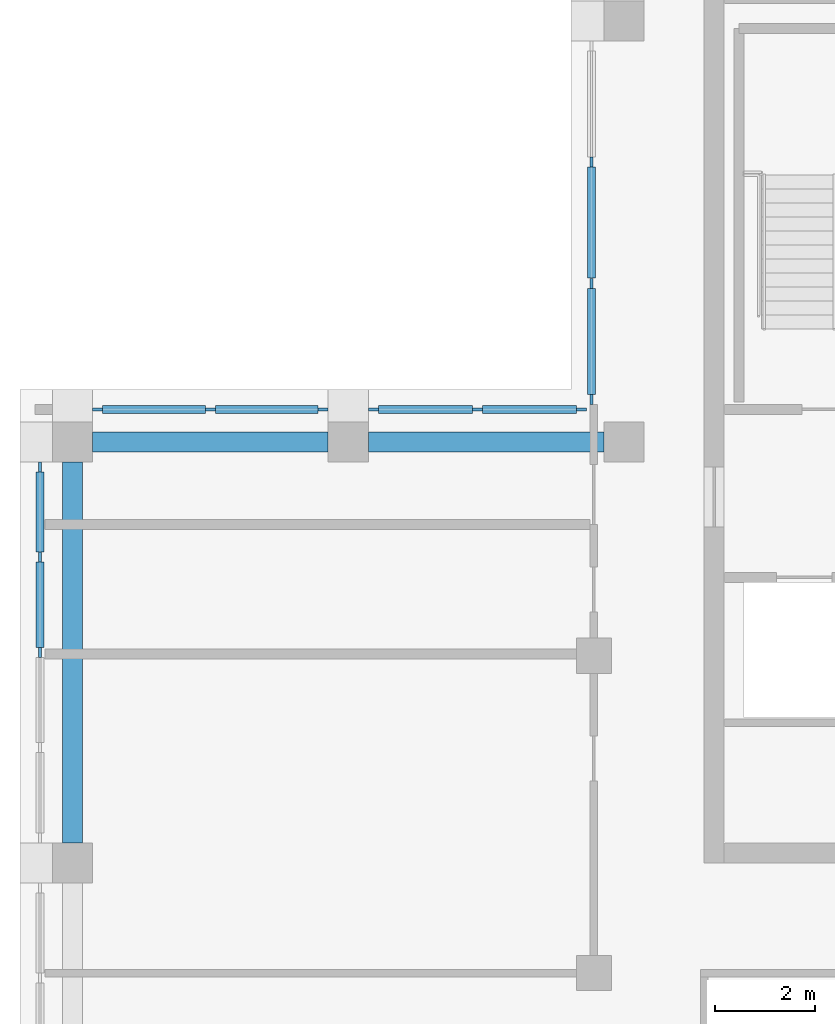
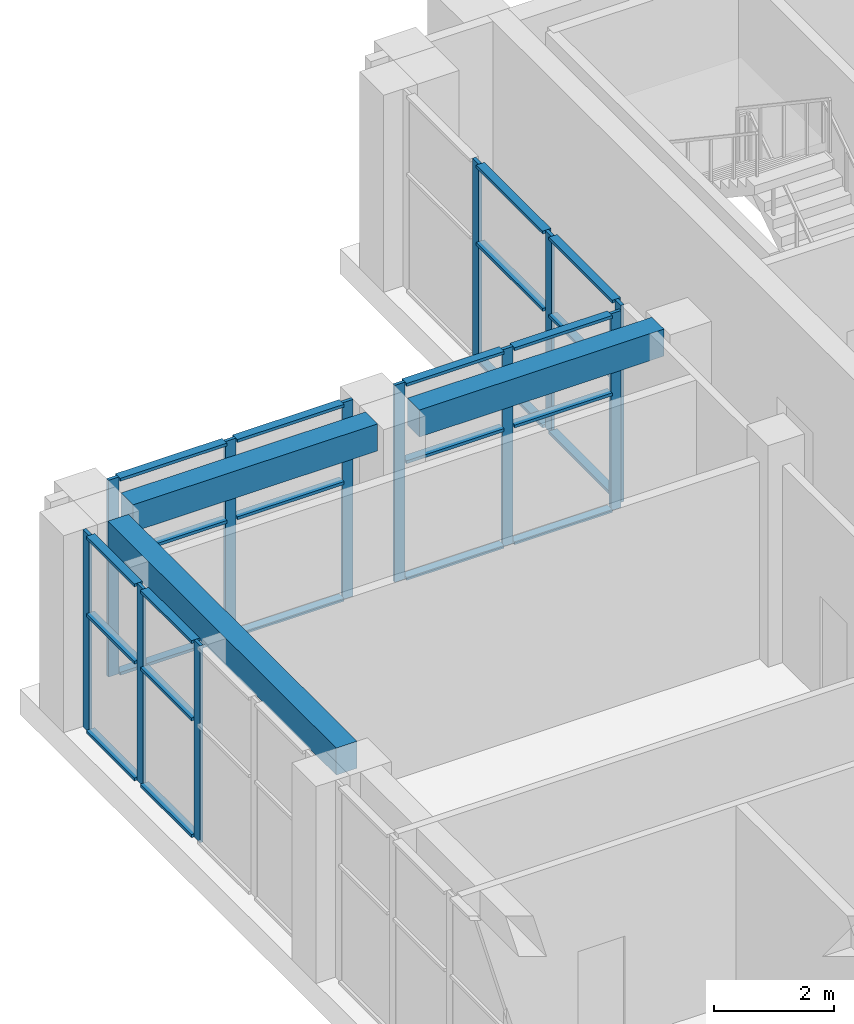
# One storey, part 4 of 14: 36 members, 3 beams, 4 elements without a shape of their own.
"""IFC4 building model written with IfcOpenShell, lengths in metres."""

from ifc_helpers import new_model, si_unit, direction, frame, origin, origin_2d, place, context, subcontext, project, spatial, rectangle, extrude, material, material_profile, profile_set, type_object, element, aggregate, save


model = new_model("IFC4")

# Units and contexts
model_context = context("Model", 3, precision=1e-05, world=origin(), true_north=direction((0.0, 1.0)))
body_context = subcontext(model_context, "Body", "Model", "MODEL_VIEW")
ifc_project = project(units=[si_unit("LENGTHUNIT", "METRE"), si_unit("AREAUNIT", "SQUARE_METRE"), si_unit("VOLUMEUNIT", "CUBIC_METRE"), si_unit("PLANEANGLEUNIT", "RADIAN"), si_unit("MASSUNIT", "GRAM", prefix="KILO")], contexts=[model_context])

# Site, building, storey
site_placement = place(None, origin())
site = spatial("IfcSite", under=ifc_project, at=site_placement, CompositionType="ELEMENT")
building_placement = place(site_placement, origin())
building = spatial("IfcBuilding", under=site, at=building_placement, Name="Vermilion Ogive Tower", CompositionType="ELEMENT")
storey_placement = place(building_placement, frame((0.0, 0.0, 273.85009765625)))
storey = spatial("IfcBuildingStorey", under=building, at=storey_placement, Name="L72", CompositionType="ELEMENT", Elevation=273.85009765625)

# Curtain wall, members
ifc_material_1 = material(Name="Laminated solar-control glazing in aluminium frame", Category="aluminium")
curtain_wall_type = type_object("IfcCurtainWallType", Name="Curtain wall CW4", PredefinedType="NOTDEFINED", material=ifc_material_1)
curtain_wall_1_placement = place(storey_placement, origin())
curtain_wall_1 = element("IfcCurtainWall", 1, at=curtain_wall_1_placement, inside=storey, type_object=curtain_wall_type, Name="CW4 glazing X51", PredefinedType="NOTDEFINED")
ifc_material_2 = material(Name="Aluminium mullion", Category="aluminium")
ifc_material_profile_1 = material_profile(ifc_material_2, rectangle(XDim=0.06005859375, YDim=0.199951171875, at=origin_2d()), Name="AL 60x200")
ifc_profile_set_1 = profile_set([ifc_material_profile_1], Name="Aluminium mullion")
member_type_1 = type_object("IfcMemberType", Name="CW4 mullion 60x200", PredefinedType="MULLION", material=ifc_profile_set_1)
member_1_placement = place(storey_placement, frame((-10.64990234375, 18.183349609375, 0.0), z_axis=(0.0, 0.0, 1.0), x_axis=(1.0, 0.0, 0.0)))
member_1 = element("IfcMember", 2, at=member_1_placement, type_object=member_type_1, Name="CW4-X51 mullion 2", PredefinedType="MULLION", context=body_context, shape_type="SweptSolid", body=[
    extrude(rectangle(XDim=0.06005859375, YDim=0.199951171875, at=origin_2d()), origin(), (0.0, 0.0, 1.0), 4.0),
])
member_2_placement = place(storey_placement, frame((-10.64990234375, 15.7666015625, 0.0), z_axis=(0.0, 0.0, 1.0), x_axis=(1.0, 0.0, 0.0)))
member_2 = element("IfcMember", 3, at=member_2_placement, type_object=member_type_1, Name="CW4-X51 mullion 3", PredefinedType="MULLION", context=body_context, shape_type="SweptSolid", body=[
    extrude(rectangle(XDim=0.06005859375, YDim=0.199951171875, at=origin_2d()), origin(), (0.0, 0.0, 1.0), 4.0),
])
member_3_placement = place(storey_placement, frame((-10.64990234375, 13.449951171875, 0.0), z_axis=(0.0, 0.0, 1.0), x_axis=(1.0, 0.0, 0.0)))
member_3 = element("IfcMember", 4, at=member_3_placement, type_object=member_type_1, Name="CW4-X51 mullion 4", PredefinedType="MULLION", context=body_context, shape_type="SweptSolid", body=[
    extrude(rectangle(XDim=0.06005859375, YDim=0.199951171875, at=origin_2d()), origin(), (0.0, 0.0, 1.0), 4.0),
])

curtain_wall_2_placement = place(storey_placement, origin())
curtain_wall_2 = element("IfcCurtainWall", 5, at=curtain_wall_2_placement, inside=storey, type_object=curtain_wall_type, Name="CW4 glazing X61", PredefinedType="NOTDEFINED")
member_4_placement = place(storey_placement, frame((-10.85009765625, 13.25, 0.0), z_axis=(0.0, 0.0, 1.0), x_axis=(0.0, -1.0, 0.0)))
member_4 = element("IfcMember", 6, at=member_4_placement, type_object=member_type_1, Name="CW4-X61 mullion 1", PredefinedType="MULLION", context=body_context, shape_type="SweptSolid", body=[
    extrude(rectangle(XDim=0.06005859375, YDim=0.199951171875, at=origin_2d()), origin(), (0.0, 0.0, 1.0), 4.0),
])
member_5_placement = place(storey_placement, frame((-12.925048828125, 13.25, 0.0), z_axis=(0.0, 0.0, 1.0), x_axis=(0.0, -1.0, 0.0)))
member_5 = element("IfcMember", 7, at=member_5_placement, type_object=member_type_1, Name="CW4-X61 mullion 2", PredefinedType="MULLION", context=body_context, shape_type="SweptSolid", body=[
    extrude(rectangle(XDim=0.06005859375, YDim=0.199951171875, at=origin_2d()), origin(), (0.0, 0.0, 1.0), 4.0),
])
member_6_placement = place(storey_placement, frame((-15.0, 13.25, 0.0), z_axis=(0.0, 0.0, 1.0), x_axis=(0.0, -1.0, 0.0)))
member_6 = element("IfcMember", 8, at=member_6_placement, type_object=member_type_1, Name="CW4-X61 mullion 3", PredefinedType="MULLION", context=body_context, shape_type="SweptSolid", body=[
    extrude(rectangle(XDim=0.06005859375, YDim=0.199951171875, at=origin_2d()), origin(), (0.0, 0.0, 1.0), 4.0),
])

curtain_wall_3_placement = place(storey_placement, origin())
curtain_wall_3 = element("IfcCurtainWall", 9, at=curtain_wall_3_placement, inside=storey, type_object=curtain_wall_type, Name="CW4 glazing X62", PredefinedType="NOTDEFINED")
member_7_placement = place(storey_placement, frame((-16.0, 13.25, 0.0), z_axis=(0.0, 0.0, 1.0), x_axis=(0.0, -1.0, 0.0)))
member_7 = element("IfcMember", 10, at=member_7_placement, type_object=member_type_1, Name="CW4-X62 mullion 1", PredefinedType="MULLION", context=body_context, shape_type="SweptSolid", body=[
    extrude(rectangle(XDim=0.06005859375, YDim=0.199951171875, at=origin_2d()), origin(), (0.0, 0.0, 1.0), 4.0),
])
member_8_placement = place(storey_placement, frame((-18.25, 13.25, 0.0), z_axis=(0.0, 0.0, 1.0), x_axis=(0.0, -1.0, 0.0)))
member_8 = element("IfcMember", 11, at=member_8_placement, type_object=member_type_1, Name="CW4-X62 mullion 2", PredefinedType="MULLION", context=body_context, shape_type="SweptSolid", body=[
    extrude(rectangle(XDim=0.06005859375, YDim=0.199951171875, at=origin_2d()), origin(), (0.0, 0.0, 1.0), 4.0),
])
member_9_placement = place(storey_placement, frame((-20.5, 13.25, 0.0), z_axis=(0.0, 0.0, 1.0), x_axis=(0.0, -1.0, 0.0)))
member_9 = element("IfcMember", 12, at=member_9_placement, type_object=member_type_1, Name="CW4-X62 mullion 3", PredefinedType="MULLION", context=body_context, shape_type="SweptSolid", body=[
    extrude(rectangle(XDim=0.06005859375, YDim=0.199951171875, at=origin_2d()), origin(), (0.0, 0.0, 1.0), 4.0),
])

curtain_wall_4_placement = place(storey_placement, origin())
curtain_wall_4 = element("IfcCurtainWall", 13, at=curtain_wall_4_placement, inside=storey, type_object=curtain_wall_type, Name="CW4 glazing W1", PredefinedType="NOTDEFINED")
member_10_placement = place(storey_placement, frame((-21.64990234375, 12.10009765625, 0.0), z_axis=(0.0, 0.0, 1.0), x_axis=(1.0, 0.0, 0.0)))
member_10 = element("IfcMember", 14, at=member_10_placement, type_object=member_type_1, Name="CW4-W1 mullion 1", PredefinedType="MULLION", context=body_context, shape_type="SweptSolid", body=[
    extrude(rectangle(XDim=0.06005859375, YDim=0.199951171875, at=origin_2d()), origin(), (0.0, 0.0, 1.0), 4.0),
])
member_11_placement = place(storey_placement, frame((-21.64990234375, 10.300048828125, 0.0), z_axis=(0.0, 0.0, 1.0), x_axis=(1.0, 0.0, 0.0)))
member_11 = element("IfcMember", 15, at=member_11_placement, type_object=member_type_1, Name="CW4-W1 mullion 2", PredefinedType="MULLION", context=body_context, shape_type="SweptSolid", body=[
    extrude(rectangle(XDim=0.06005859375, YDim=0.199951171875, at=origin_2d()), origin(), (0.0, 0.0, 1.0), 4.0),
])
member_12_placement = place(storey_placement, frame((-21.64990234375, 8.39990234375, 0.0), z_axis=(0.0, 0.0, 1.0), x_axis=(1.0, 0.0, 0.0)))
member_12 = element("IfcMember", 16, at=member_12_placement, type_object=member_type_1, Name="CW4-W1 mullion 3", PredefinedType="MULLION", context=body_context, shape_type="SweptSolid", body=[
    extrude(rectangle(XDim=0.06005859375, YDim=0.199951171875, at=origin_2d()), origin(), (0.0, 0.0, 1.0), 4.0),
])

# Member
ifc_material_3 = material(Name="Aluminium transom", Category="aluminium")
ifc_material_profile_2 = material_profile(ifc_material_3, rectangle(XDim=0.159912109375, YDim=0.06005859375, at=origin_2d()), Name="AL 60x160")
ifc_profile_set_2 = profile_set([ifc_material_profile_2], Name="Aluminium transom")
member_type_2 = type_object("IfcMemberType", Name="CW4 transom 60x160", PredefinedType="USERDEFINED", material=ifc_profile_set_2)
member_13_placement = place(storey_placement, frame((-10.64990234375, 18.083251953125, 0.02978515625), z_axis=(0.0, -1.0, 0.0), x_axis=(1.0, 0.0, 0.0)))
member_13 = element("IfcMember", 17, at=member_13_placement, type_object=member_type_2, Name="CW4-X51 transom 2.1", ObjectType="TRANSOM", PredefinedType="USERDEFINED", context=body_context, shape_type="SweptSolid", body=[
    extrude(rectangle(XDim=0.159912109375, YDim=0.06005859375, at=origin_2d()), origin(), (0.0, 0.0, 1.0), 2.216552734375),
])

member_14_placement = place(storey_placement, frame((-10.64990234375, 18.083251953125, 2.39990234375), z_axis=(0.0, -1.0, 0.0), x_axis=(1.0, 0.0, 0.0)))
member_14 = element("IfcMember", 18, at=member_14_placement, type_object=member_type_2, Name="CW4-X51 transom 2.2", ObjectType="TRANSOM", PredefinedType="USERDEFINED", context=body_context, shape_type="SweptSolid", body=[
    extrude(rectangle(XDim=0.159912109375, YDim=0.06005859375, at=origin_2d()), origin(), (0.0, 0.0, 1.0), 2.216552734375),
])

member_15_placement = place(storey_placement, frame((-10.64990234375, 18.083251953125, 3.969970703125), z_axis=(0.0, -1.0, 0.0), x_axis=(1.0, 0.0, 0.0)))
member_15 = element("IfcMember", 19, at=member_15_placement, type_object=member_type_2, Name="CW4-X51 transom 2.3", ObjectType="TRANSOM", PredefinedType="USERDEFINED", context=body_context, shape_type="SweptSolid", body=[
    extrude(rectangle(XDim=0.159912109375, YDim=0.06005859375, at=origin_2d()), origin(), (0.0, 0.0, 1.0), 2.216552734375),
])

member_16_placement = place(storey_placement, frame((-10.64990234375, 15.666748046875, 0.02978515625), z_axis=(0.0, -1.0, 0.0), x_axis=(1.0, 0.0, 0.0)))
member_16 = element("IfcMember", 20, at=member_16_placement, type_object=member_type_2, Name="CW4-X51 transom 3.1", ObjectType="TRANSOM", PredefinedType="USERDEFINED", context=body_context, shape_type="SweptSolid", body=[
    extrude(rectangle(XDim=0.159912109375, YDim=0.06005859375, at=origin_2d()), origin(), (0.0, 0.0, 1.0), 2.11669921875),
])

member_17_placement = place(storey_placement, frame((-10.64990234375, 15.666748046875, 2.39990234375), z_axis=(0.0, -1.0, 0.0), x_axis=(1.0, 0.0, 0.0)))
member_17 = element("IfcMember", 21, at=member_17_placement, type_object=member_type_2, Name="CW4-X51 transom 3.2", ObjectType="TRANSOM", PredefinedType="USERDEFINED", context=body_context, shape_type="SweptSolid", body=[
    extrude(rectangle(XDim=0.159912109375, YDim=0.06005859375, at=origin_2d()), origin(), (0.0, 0.0, 1.0), 2.11669921875),
])

member_18_placement = place(storey_placement, frame((-10.64990234375, 15.666748046875, 3.969970703125), z_axis=(0.0, -1.0, 0.0), x_axis=(1.0, 0.0, 0.0)))
member_18 = element("IfcMember", 22, at=member_18_placement, type_object=member_type_2, Name="CW4-X51 transom 3.3", ObjectType="TRANSOM", PredefinedType="USERDEFINED", context=body_context, shape_type="SweptSolid", body=[
    extrude(rectangle(XDim=0.159912109375, YDim=0.06005859375, at=origin_2d()), origin(), (0.0, 0.0, 1.0), 2.11669921875),
])

aggregate(curtain_wall_1, [member_1, member_2, member_3, member_13, member_14, member_15, member_16, member_17, member_18])

member_19_placement = place(storey_placement, frame((-10.949951171875, 13.25, 0.02978515625), z_axis=(-1.0, 0.0, 0.0), x_axis=(0.0, -1.0, 0.0)))
member_19 = element("IfcMember", 23, at=member_19_placement, type_object=member_type_2, Name="CW4-X61 transom 1.1", ObjectType="TRANSOM", PredefinedType="USERDEFINED", context=body_context, shape_type="SweptSolid", body=[
    extrude(rectangle(XDim=0.159912109375, YDim=0.06005859375, at=origin_2d()), origin(), (0.0, 0.0, 1.0), 1.875),
])

member_20_placement = place(storey_placement, frame((-10.949951171875, 13.25, 2.39990234375), z_axis=(-1.0, 0.0, 0.0), x_axis=(0.0, -1.0, 0.0)))
member_20 = element("IfcMember", 24, at=member_20_placement, type_object=member_type_2, Name="CW4-X61 transom 1.2", ObjectType="TRANSOM", PredefinedType="USERDEFINED", context=body_context, shape_type="SweptSolid", body=[
    extrude(rectangle(XDim=0.159912109375, YDim=0.06005859375, at=origin_2d()), origin(), (0.0, 0.0, 1.0), 1.875),
])

member_21_placement = place(storey_placement, frame((-10.949951171875, 13.25, 3.969970703125), z_axis=(-1.0, 0.0, 0.0), x_axis=(0.0, -1.0, 0.0)))
member_21 = element("IfcMember", 25, at=member_21_placement, type_object=member_type_2, Name="CW4-X61 transom 1.3", ObjectType="TRANSOM", PredefinedType="USERDEFINED", context=body_context, shape_type="SweptSolid", body=[
    extrude(rectangle(XDim=0.159912109375, YDim=0.06005859375, at=origin_2d()), origin(), (0.0, 0.0, 1.0), 1.875),
])

member_22_placement = place(storey_placement, frame((-13.02490234375, 13.25, 0.02978515625), z_axis=(-1.0, 0.0, 0.0), x_axis=(0.0, -1.0, 0.0)))
member_22 = element("IfcMember", 26, at=member_22_placement, type_object=member_type_2, Name="CW4-X61 transom 2.1", ObjectType="TRANSOM", PredefinedType="USERDEFINED", context=body_context, shape_type="SweptSolid", body=[
    extrude(rectangle(XDim=0.159912109375, YDim=0.06005859375, at=origin_2d()), origin(), (0.0, 0.0, 1.0), 1.875),
])

member_23_placement = place(storey_placement, frame((-13.02490234375, 13.25, 2.39990234375), z_axis=(-1.0, 0.0, 0.0), x_axis=(0.0, -1.0, 0.0)))
member_23 = element("IfcMember", 27, at=member_23_placement, type_object=member_type_2, Name="CW4-X61 transom 2.2", ObjectType="TRANSOM", PredefinedType="USERDEFINED", context=body_context, shape_type="SweptSolid", body=[
    extrude(rectangle(XDim=0.159912109375, YDim=0.06005859375, at=origin_2d()), origin(), (0.0, 0.0, 1.0), 1.875),
])

member_24_placement = place(storey_placement, frame((-13.02490234375, 13.25, 3.969970703125), z_axis=(-1.0, 0.0, 0.0), x_axis=(0.0, -1.0, 0.0)))
member_24 = element("IfcMember", 28, at=member_24_placement, type_object=member_type_2, Name="CW4-X61 transom 2.3", ObjectType="TRANSOM", PredefinedType="USERDEFINED", context=body_context, shape_type="SweptSolid", body=[
    extrude(rectangle(XDim=0.159912109375, YDim=0.06005859375, at=origin_2d()), origin(), (0.0, 0.0, 1.0), 1.875),
])

aggregate(curtain_wall_2, [member_4, member_5, member_6, member_19, member_20, member_21, member_22, member_23, member_24])

member_25_placement = place(storey_placement, frame((-16.10009765625, 13.25, 0.02978515625), z_axis=(-1.0, 0.0, 0.0), x_axis=(0.0, -1.0, 0.0)))
member_25 = element("IfcMember", 29, at=member_25_placement, type_object=member_type_2, Name="CW4-X62 transom 1.1", ObjectType="TRANSOM", PredefinedType="USERDEFINED", context=body_context, shape_type="SweptSolid", body=[
    extrude(rectangle(XDim=0.159912109375, YDim=0.06005859375, at=origin_2d()), origin(), (0.0, 0.0, 1.0), 2.0498046875),
])

member_26_placement = place(storey_placement, frame((-16.10009765625, 13.25, 2.39990234375), z_axis=(-1.0, 0.0, 0.0), x_axis=(0.0, -1.0, 0.0)))
member_26 = element("IfcMember", 30, at=member_26_placement, type_object=member_type_2, Name="CW4-X62 transom 1.2", ObjectType="TRANSOM", PredefinedType="USERDEFINED", context=body_context, shape_type="SweptSolid", body=[
    extrude(rectangle(XDim=0.159912109375, YDim=0.06005859375, at=origin_2d()), origin(), (0.0, 0.0, 1.0), 2.0498046875),
])

member_27_placement = place(storey_placement, frame((-16.10009765625, 13.25, 3.969970703125), z_axis=(-1.0, 0.0, 0.0), x_axis=(0.0, -1.0, 0.0)))
member_27 = element("IfcMember", 31, at=member_27_placement, type_object=member_type_2, Name="CW4-X62 transom 1.3", ObjectType="TRANSOM", PredefinedType="USERDEFINED", context=body_context, shape_type="SweptSolid", body=[
    extrude(rectangle(XDim=0.159912109375, YDim=0.06005859375, at=origin_2d()), origin(), (0.0, 0.0, 1.0), 2.0498046875),
])

member_28_placement = place(storey_placement, frame((-18.35009765625, 13.25, 0.02978515625), z_axis=(-1.0, 0.0, 0.0), x_axis=(0.0, -1.0, 0.0)))
member_28 = element("IfcMember", 32, at=member_28_placement, type_object=member_type_2, Name="CW4-X62 transom 2.1", ObjectType="TRANSOM", PredefinedType="USERDEFINED", context=body_context, shape_type="SweptSolid", body=[
    extrude(rectangle(XDim=0.159912109375, YDim=0.06005859375, at=origin_2d()), origin(), (0.0, 0.0, 1.0), 2.0498046875),
])

member_29_placement = place(storey_placement, frame((-18.35009765625, 13.25, 2.39990234375), z_axis=(-1.0, 0.0, 0.0), x_axis=(0.0, -1.0, 0.0)))
member_29 = element("IfcMember", 33, at=member_29_placement, type_object=member_type_2, Name="CW4-X62 transom 2.2", ObjectType="TRANSOM", PredefinedType="USERDEFINED", context=body_context, shape_type="SweptSolid", body=[
    extrude(rectangle(XDim=0.159912109375, YDim=0.06005859375, at=origin_2d()), origin(), (0.0, 0.0, 1.0), 2.0498046875),
])

member_30_placement = place(storey_placement, frame((-18.35009765625, 13.25, 3.969970703125), z_axis=(-1.0, 0.0, 0.0), x_axis=(0.0, -1.0, 0.0)))
member_30 = element("IfcMember", 34, at=member_30_placement, type_object=member_type_2, Name="CW4-X62 transom 2.3", ObjectType="TRANSOM", PredefinedType="USERDEFINED", context=body_context, shape_type="SweptSolid", body=[
    extrude(rectangle(XDim=0.159912109375, YDim=0.06005859375, at=origin_2d()), origin(), (0.0, 0.0, 1.0), 2.0498046875),
])

aggregate(curtain_wall_3, [member_7, member_8, member_9, member_25, member_26, member_27, member_28, member_29, member_30])

member_31_placement = place(storey_placement, frame((-21.64990234375, 12.0, 0.02978515625), z_axis=(0.0, -1.0, 0.0), x_axis=(1.0, 0.0, 0.0)))
member_31 = element("IfcMember", 35, at=member_31_placement, type_object=member_type_2, Name="CW4-W1 transom 1.1", ObjectType="TRANSOM", PredefinedType="USERDEFINED", context=body_context, shape_type="SweptSolid", body=[
    extrude(rectangle(XDim=0.159912109375, YDim=0.06005859375, at=origin_2d()), origin(), (0.0, 0.0, 1.0), 1.60009765625),
])

member_32_placement = place(storey_placement, frame((-21.64990234375, 12.0, 2.39990234375), z_axis=(0.0, -1.0, 0.0), x_axis=(1.0, 0.0, 0.0)))
member_32 = element("IfcMember", 36, at=member_32_placement, type_object=member_type_2, Name="CW4-W1 transom 1.2", ObjectType="TRANSOM", PredefinedType="USERDEFINED", context=body_context, shape_type="SweptSolid", body=[
    extrude(rectangle(XDim=0.159912109375, YDim=0.06005859375, at=origin_2d()), origin(), (0.0, 0.0, 1.0), 1.60009765625),
])

member_33_placement = place(storey_placement, frame((-21.64990234375, 12.0, 3.969970703125), z_axis=(0.0, -1.0, 0.0), x_axis=(1.0, 0.0, 0.0)))
member_33 = element("IfcMember", 37, at=member_33_placement, type_object=member_type_2, Name="CW4-W1 transom 1.3", ObjectType="TRANSOM", PredefinedType="USERDEFINED", context=body_context, shape_type="SweptSolid", body=[
    extrude(rectangle(XDim=0.159912109375, YDim=0.06005859375, at=origin_2d()), origin(), (0.0, 0.0, 1.0), 1.60009765625),
])

member_34_placement = place(storey_placement, frame((-21.64990234375, 10.199951171875, 0.02978515625), z_axis=(0.0, -1.0, 0.0), x_axis=(1.0, 0.0, 0.0)))
member_34 = element("IfcMember", 38, at=member_34_placement, type_object=member_type_2, Name="CW4-W1 transom 2.1", ObjectType="TRANSOM", PredefinedType="USERDEFINED", context=body_context, shape_type="SweptSolid", body=[
    extrude(rectangle(XDim=0.159912109375, YDim=0.06005859375, at=origin_2d()), origin(), (0.0, 0.0, 1.0), 1.699951171875),
])

member_35_placement = place(storey_placement, frame((-21.64990234375, 10.199951171875, 2.39990234375), z_axis=(0.0, -1.0, 0.0), x_axis=(1.0, 0.0, 0.0)))
member_35 = element("IfcMember", 39, at=member_35_placement, type_object=member_type_2, Name="CW4-W1 transom 2.2", ObjectType="TRANSOM", PredefinedType="USERDEFINED", context=body_context, shape_type="SweptSolid", body=[
    extrude(rectangle(XDim=0.159912109375, YDim=0.06005859375, at=origin_2d()), origin(), (0.0, 0.0, 1.0), 1.699951171875),
])

member_36_placement = place(storey_placement, frame((-21.64990234375, 10.199951171875, 3.969970703125), z_axis=(0.0, -1.0, 0.0), x_axis=(1.0, 0.0, 0.0)))
member_36 = element("IfcMember", 40, at=member_36_placement, type_object=member_type_2, Name="CW4-W1 transom 2.3", ObjectType="TRANSOM", PredefinedType="USERDEFINED", context=body_context, shape_type="SweptSolid", body=[
    extrude(rectangle(XDim=0.159912109375, YDim=0.06005859375, at=origin_2d()), origin(), (0.0, 0.0, 1.0), 1.699951171875),
])

aggregate(curtain_wall_4, [member_10, member_11, member_12, member_31, member_32, member_33, member_34, member_35, member_36])

# Beams
ifc_material_4 = material(Name="Concrete B45", Category="concrete")
ifc_material_profile_3 = material_profile(ifc_material_4, rectangle(XDim=0.39990234375, YDim=0.550048828125, at=origin_2d()), Name="400 x 550")
ifc_profile_set_3 = profile_set([ifc_material_profile_3], Name="Concrete B45")
beam_type = type_object("IfcBeamType", Name="Edge beam 400 x 550 B45", PredefinedType="BEAM", material=ifc_profile_set_3)
for number, where, z_axis, x_axis, name in (
    (41, (-10.39990234375, 12.60009765625, 3.724853515625), (-1.0, 0.0, 0.0), (0.0, -1.0, 0.0), "L72-EB-11"),
    (42, (-15.89990234375, 12.60009765625, 3.724853515625), (-1.0, 0.0, 0.0), (0.0, -1.0, 0.0), "L72-EB-12"),
):
    element("IfcBeam", number, at=place(storey_placement, frame(where, z_axis=z_axis, x_axis=x_axis)), inside=storey, type_object=beam_type, Name=name, PredefinedType="BEAM", context=body_context, shape_type="SweptSolid", body=[
        extrude(rectangle(XDim=0.39990234375, YDim=0.550048828125, at=origin_2d()), origin(), (0.0, 0.0, 1.0), 4.7001953125),
    ])
beam_placement = place(storey_placement, frame((-21.0, 12.199951171875, 3.724853515625), z_axis=(0.0, -1.0, 0.0), x_axis=(1.0, 0.0, 0.0)))
element("IfcBeam", 43, at=beam_placement, inside=storey, type_object=beam_type, Name="L72-EB-13", PredefinedType="BEAM", context=body_context, shape_type="SweptSolid", body=[
    extrude(rectangle(XDim=0.39990234375, YDim=0.550048828125, at=origin_2d()), origin(), (0.0, 0.0, 1.0), 7.599853515625),
])

save(model, "model.ifc")
